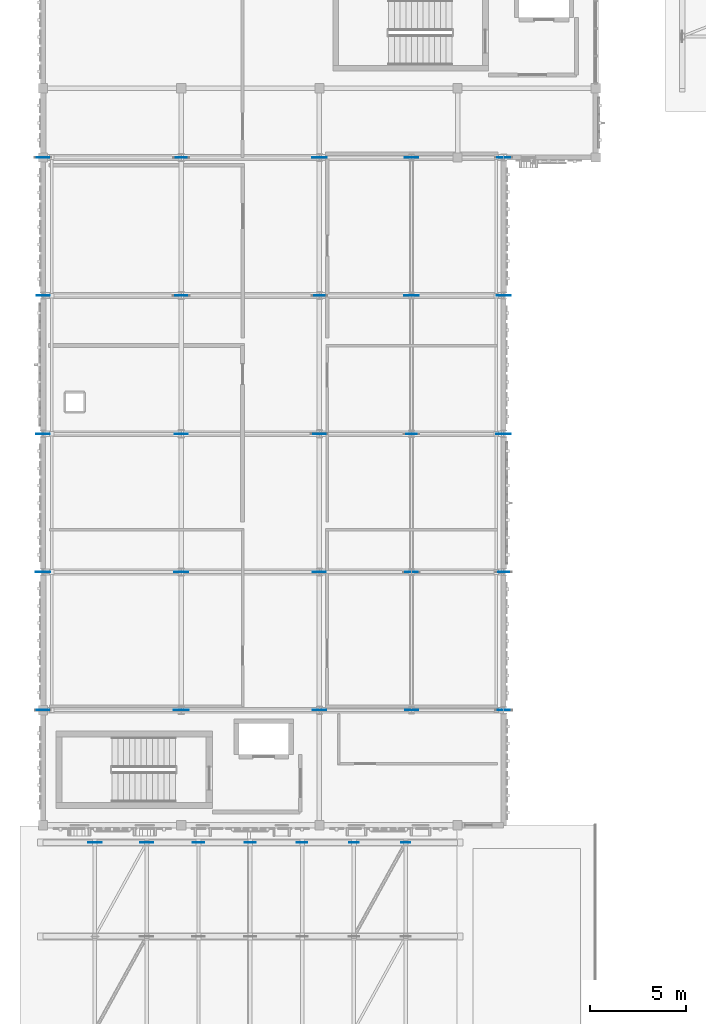
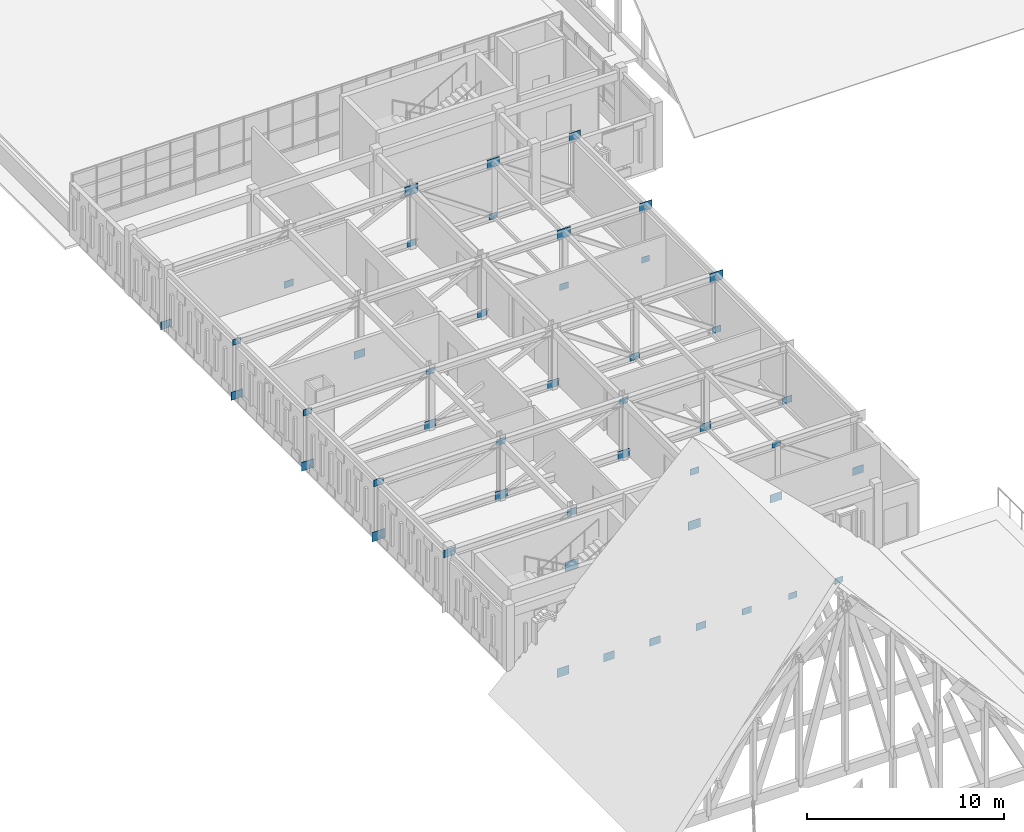
# One storey, part 41 of 79: 46 plates.
"""IFC4 building model written with IfcOpenShell, lengths in metres."""

from ifc_helpers import new_model, si_unit, direction, frame, origin, origin_2d, place, context, subcontext, project, spatial, rectangle, extrude, material, layer, layer_set, type_object, element, save


model = new_model("IFC4")

# Units and contexts
model_context = context("Model", 3, precision=1e-05, world=origin(), true_north=direction((0.0, 1.0)))
body_context = subcontext(model_context, "Body", "Model", "MODEL_VIEW")
ifc_project = project(units=[si_unit("LENGTHUNIT", "METRE"), si_unit("AREAUNIT", "SQUARE_METRE"), si_unit("VOLUMEUNIT", "CUBIC_METRE"), si_unit("PLANEANGLEUNIT", "RADIAN"), si_unit("MASSUNIT", "GRAM", prefix="KILO")], contexts=[model_context])

# Site, building, storey
site_placement = place(None, origin())
site = spatial("IfcSite", under=ifc_project, at=site_placement, CompositionType="ELEMENT")
building_placement = place(site_placement, origin())
building = spatial("IfcBuilding", under=site, at=building_placement, Name="Nzembalo Square Collegiate School", CompositionType="ELEMENT")
storey_placement = place(building_placement, frame((0.0, 0.0, 9.52001953125)))
storey = spatial("IfcBuildingStorey", under=building, at=storey_placement, Name="L02", CompositionType="ELEMENT", Elevation=9.52001953125)

# Plates
ifc_material_1 = material(Name="Steel S355", Category="steel")
ifc_layer_1 = layer(ifc_material_1, 0.030029296875, Name="Steel S355")
ifc_layer_set_1 = layer_set([ifc_layer_1], Name="Steel S355")
plate_type_1 = type_object("IfcPlateType", Name="KN03", PredefinedType="SHEET", material=ifc_layer_set_1)
for number, where, z_axis, x_axis, name in (
    (1, (15.60009765625, 50.39990234375, -0.030029296875), (0.0, 0.0, 1.0), (1.0, 0.0, 0.0), "TT-4A-01 transfer gusset plate KN03"),
    (2, (8.39990234375, 57.60009765625, -0.030029296875), (0.0, 0.0, 1.0), (1.0, 0.0, 0.0), "TT-4A-02 transfer gusset plate KN03"),
    (3, (32.39990234375, 64.800048828125, 3.27001953125), (0.0, 0.0, 1.0), (1.0, 0.0, 0.0), "TT-4A-03 transfer gusset plate KN03"),
    (4, (27.60009765625, 72.0, 3.27001953125), (0.0, 0.0, 1.0), (1.0, 0.0, 0.0), "TT-4A-04 transfer gusset plate KN03"),
    (5, (22.800048828125, 79.199951171875, 3.27001953125), (0.0, 0.0, 1.0), (1.0, 0.0, 0.0), "TT-4A-05 transfer gusset plate KN03"),
):
    element("IfcPlate", number, at=place(storey_placement, frame(where, z_axis=z_axis, x_axis=x_axis)), inside=storey, type_object=plate_type_1, Name=name, PredefinedType="SHEET", context=body_context, shape_type="SweptSolid", body=[
        extrude(rectangle(XDim=0.760009765625, YDim=0.030029296875, at=origin_2d()), origin(), (0.0, 0.0, 1.0), 0.580078125),
    ])
ifc_material_2 = material(Name="Steel S355", Category="steel")
ifc_layer_2 = layer(ifc_material_2, 0.028076171875, Name="Steel S355")
ifc_layer_set_2 = layer_set([ifc_layer_2], Name="Steel S355")
plate_type_2 = type_object("IfcPlateType", Name="KN04", PredefinedType="SHEET", material=ifc_layer_set_2)
for number, where, z_axis, x_axis, name in (
    (6, (22.800048828125, 50.39990234375, -0.010009765625), (0.0, 0.0, 1.0), (1.0, 0.0, 0.0), "TT-4A-01 transfer gusset plate KN04"),
    (7, (15.60009765625, 57.60009765625, -0.010009765625), (0.0, 0.0, 1.0), (1.0, 0.0, 0.0), "TT-4A-02 transfer gusset plate KN04"),
    (8, (8.39990234375, 64.800048828125, -0.010009765625), (0.0, 0.0, 1.0), (1.0, 0.0, 0.0), "TT-4A-03 transfer gusset plate KN04"),
    (9, (32.39990234375, 72.0, 3.2900390625), (0.0, 0.0, 1.0), (1.0, 0.0, 0.0), "TT-4A-04 transfer gusset plate KN04"),
    (10, (27.60009765625, 79.199951171875, 3.2900390625), (0.0, 0.0, 1.0), (1.0, 0.0, 0.0), "TT-4A-05 transfer gusset plate KN04"),
):
    element("IfcPlate", number, at=place(storey_placement, frame(where, z_axis=z_axis, x_axis=x_axis)), inside=storey, type_object=plate_type_2, Name=name, PredefinedType="SHEET", context=body_context, shape_type="SweptSolid", body=[
        extrude(rectangle(XDim=0.719970703125, YDim=0.028076171875, at=origin_2d()), origin(), (0.0, 0.0, 1.0), 0.5400390625),
    ])
ifc_material_3 = material(Name="Steel S355", Category="steel")
ifc_layer_3 = layer(ifc_material_3, 0.02587890625, Name="Steel S355")
ifc_layer_set_3 = layer_set([ifc_layer_3], Name="Steel S355")
plate_type_3 = type_object("IfcPlateType", Name="KN05", PredefinedType="SHEET", material=ifc_layer_set_3)
for number, where, z_axis, x_axis, name in (
    (11, (27.60009765625, 50.39990234375, 0.010009765625), (0.0, 0.0, 1.0), (1.0, 0.0, 0.0), "TT-4A-01 transfer gusset plate KN05"),
    (12, (22.800048828125, 57.60009765625, 0.010009765625), (0.0, 0.0, 1.0), (1.0, 0.0, 0.0), "TT-4A-02 transfer gusset plate KN05"),
    (13, (15.60009765625, 64.800048828125, 0.010009765625), (0.0, 0.0, 1.0), (1.0, 0.0, 0.0), "TT-4A-03 transfer gusset plate KN05"),
    (14, (8.39990234375, 72.0, 0.010009765625), (0.0, 0.0, 1.0), (1.0, 0.0, 0.0), "TT-4A-04 transfer gusset plate KN05"),
    (15, (32.39990234375, 79.199951171875, 3.31005859375), (0.0, 0.0, 1.0), (1.0, 0.0, 0.0), "TT-4A-05 transfer gusset plate KN05"),
):
    element("IfcPlate", number, at=place(storey_placement, frame(where, z_axis=z_axis, x_axis=x_axis)), inside=storey, type_object=plate_type_3, Name=name, PredefinedType="SHEET", context=body_context, shape_type="SweptSolid", body=[
        extrude(rectangle(XDim=0.679931640625, YDim=0.02587890625, at=origin_2d()), origin(), (0.0, 0.0, 1.0), 0.5),
    ])
ifc_material_4 = material(Name="Steel S355", Category="steel")
ifc_layer_4 = layer(ifc_material_4, 0.02392578125, Name="Steel S355")
ifc_layer_set_4 = layer_set([ifc_layer_4], Name="Steel S355")
plate_type_4 = type_object("IfcPlateType", Name="KN06", PredefinedType="SHEET", material=ifc_layer_set_4)
for number, where, z_axis, x_axis, name in (
    (16, (8.39990234375, 50.39990234375, 3.320068359375), (0.0, 0.0, 1.0), (1.0, 0.0, 0.0), "TT-4A-01 transfer gusset plate KN06"),
    (17, (32.39990234375, 50.39990234375, 0.02001953125), (0.0, 0.0, 1.0), (1.0, 0.0, 0.0), "TT-4A-01 transfer gusset plate KN06"),
    (18, (27.60009765625, 57.60009765625, 0.02001953125), (0.0, 0.0, 1.0), (1.0, 0.0, 0.0), "TT-4A-02 transfer gusset plate KN06"),
    (19, (22.800048828125, 64.800048828125, 0.02001953125), (0.0, 0.0, 1.0), (1.0, 0.0, 0.0), "TT-4A-03 transfer gusset plate KN06"),
    (20, (15.60009765625, 72.0, 0.02001953125), (0.0, 0.0, 1.0), (1.0, 0.0, 0.0), "TT-4A-04 transfer gusset plate KN06"),
    (21, (8.39990234375, 79.199951171875, 0.02001953125), (0.0, 0.0, 1.0), (1.0, 0.0, 0.0), "TT-4A-05 transfer gusset plate KN06"),
):
    element("IfcPlate", number, at=place(storey_placement, frame(where, z_axis=z_axis, x_axis=x_axis)), inside=storey, type_object=plate_type_4, Name=name, PredefinedType="SHEET", context=body_context, shape_type="SweptSolid", body=[
        extrude(rectangle(XDim=0.639892578125, YDim=0.02392578125, at=origin_2d()), origin(), (0.0, 0.0, 1.0), 0.47998046875),
    ])
ifc_material_5 = material(Name="Steel S355", Category="steel")
ifc_layer_5 = layer(ifc_material_5, 0.02197265625, Name="Steel S355")
ifc_layer_set_5 = layer_set([ifc_layer_5], Name="Steel S355")
plate_type_5 = type_object("IfcPlateType", Name="KN07", PredefinedType="SHEET", material=ifc_layer_set_5)
for number, where, z_axis, x_axis, name in (
    (22, (15.60009765625, 50.39990234375, 3.35009765625), (0.0, 0.0, 1.0), (1.0, 0.0, 0.0), "TT-4A-01 transfer gusset plate KN07"),
    (23, (8.39990234375, 57.60009765625, 3.35009765625), (0.0, 0.0, 1.0), (1.0, 0.0, 0.0), "TT-4A-02 transfer gusset plate KN07"),
    (24, (32.39990234375, 57.60009765625, 0.050048828125), (0.0, 0.0, 1.0), (1.0, 0.0, 0.0), "TT-4A-02 transfer gusset plate KN07"),
    (25, (27.60009765625, 64.800048828125, 0.050048828125), (0.0, 0.0, 1.0), (1.0, 0.0, 0.0), "TT-4A-03 transfer gusset plate KN07"),
    (26, (22.800048828125, 72.0, 0.050048828125), (0.0, 0.0, 1.0), (1.0, 0.0, 0.0), "TT-4A-04 transfer gusset plate KN07"),
    (27, (15.60009765625, 79.199951171875, 0.050048828125), (0.0, 0.0, 1.0), (1.0, 0.0, 0.0), "TT-4A-05 transfer gusset plate KN07"),
):
    element("IfcPlate", number, at=place(storey_placement, frame(where, z_axis=z_axis, x_axis=x_axis)), inside=storey, type_object=plate_type_5, Name=name, PredefinedType="SHEET", context=body_context, shape_type="SweptSolid", body=[
        extrude(rectangle(XDim=0.56005859375, YDim=0.02197265625, at=origin_2d()), origin(), (0.0, 0.0, 1.0), 0.419921875),
    ])
ifc_material_6 = material(Name="Steel S355", Category="steel")
ifc_layer_6 = layer(ifc_material_6, 0.02001953125, Name="Steel S355")
ifc_layer_set_6 = layer_set([ifc_layer_6], Name="Steel S355")
plate_type_6 = type_object("IfcPlateType", Name="KN08", PredefinedType="SHEET", material=ifc_layer_set_6)
for number, where, z_axis, x_axis, name in (
    (28, (22.800048828125, 50.39990234375, 3.365234375), (0.0, 0.0, 1.0), (1.0, 0.0, 0.0), "TT-4A-01 transfer gusset plate KN08"),
    (29, (15.60009765625, 57.60009765625, 3.365234375), (0.0, 0.0, 1.0), (1.0, 0.0, 0.0), "TT-4A-02 transfer gusset plate KN08"),
    (30, (8.39990234375, 64.800048828125, 3.365234375), (0.0, 0.0, 1.0), (1.0, 0.0, 0.0), "TT-4A-03 transfer gusset plate KN08"),
    (31, (32.39990234375, 64.800048828125, 0.06494140625), (0.0, 0.0, 1.0), (1.0, 0.0, 0.0), "TT-4A-03 transfer gusset plate KN08"),
    (32, (27.60009765625, 72.0, 0.06494140625), (0.0, 0.0, 1.0), (1.0, 0.0, 0.0), "TT-4A-04 transfer gusset plate KN08"),
    (33, (22.800048828125, 79.199951171875, 0.06494140625), (0.0, 0.0, 1.0), (1.0, 0.0, 0.0), "TT-4A-05 transfer gusset plate KN08"),
):
    element("IfcPlate", number, at=place(storey_placement, frame(where, z_axis=z_axis, x_axis=x_axis)), inside=storey, type_object=plate_type_6, Name=name, PredefinedType="SHEET", context=body_context, shape_type="SweptSolid", body=[
        extrude(rectangle(XDim=0.52001953125, YDim=0.02001953125, at=origin_2d()), origin(), (0.0, 0.0, 1.0), 0.389892578125),
    ])
ifc_material_7 = material(Name="Steel S355", Category="steel")
ifc_layer_7 = layer(ifc_material_7, 0.01806640625, Name="Steel S355")
ifc_layer_set_7 = layer_set([ifc_layer_7], Name="Steel S355")
plate_type_7 = type_object("IfcPlateType", Name="KN09", PredefinedType="SHEET", material=ifc_layer_set_7)
for number, where, z_axis, x_axis, name in (
    (34, (27.60009765625, 50.39990234375, 3.3798828125), (0.0, 0.0, 1.0), (1.0, 0.0, 0.0), "TT-4A-01 transfer gusset plate KN09"),
    (35, (22.800048828125, 57.60009765625, 3.3798828125), (0.0, 0.0, 1.0), (1.0, 0.0, 0.0), "TT-4A-02 transfer gusset plate KN09"),
    (36, (15.60009765625, 64.800048828125, 3.3798828125), (0.0, 0.0, 1.0), (1.0, 0.0, 0.0), "TT-4A-03 transfer gusset plate KN09"),
    (37, (8.39990234375, 72.0, 3.3798828125), (0.0, 0.0, 1.0), (1.0, 0.0, 0.0), "TT-4A-04 transfer gusset plate KN09"),
    (38, (32.39990234375, 72.0, 0.080078125), (0.0, 0.0, 1.0), (1.0, 0.0, 0.0), "TT-4A-04 transfer gusset plate KN09"),
    (39, (27.60009765625, 79.199951171875, 0.080078125), (0.0, 0.0, 1.0), (1.0, 0.0, 0.0), "TT-4A-05 transfer gusset plate KN09"),
):
    element("IfcPlate", number, at=place(storey_placement, frame(where, z_axis=z_axis, x_axis=x_axis)), inside=storey, type_object=plate_type_7, Name=name, PredefinedType="SHEET", context=body_context, shape_type="SweptSolid", body=[
        extrude(rectangle(XDim=0.47998046875, YDim=0.01806640625, at=origin_2d()), origin(), (0.0, 0.0, 1.0), 0.360107421875),
    ])
ifc_material_8 = material(Name="Steel S355", Category="steel")
ifc_layer_8 = layer(ifc_material_8, 0.02392578125, Name="Steel S355")
ifc_layer_set_8 = layer_set([ifc_layer_8], Name="Steel S355")
plate_type_8 = type_object("IfcPlateType", Name="TN01", PredefinedType="SHEET", material=ifc_layer_set_8)
plate_1_placement = place(storey_placement, frame((11.10009765625, 43.5, -0.8701171875), z_axis=(0.0, 0.0, 1.0), x_axis=(1.0, 0.0, 0.0)))
element("IfcPlate", 40, at=plate_1_placement, inside=storey, type_object=plate_type_8, Name="GT-SH1-08 gusset plate TN01", PredefinedType="SHEET", context=body_context, shape_type="SweptSolid", body=[
    extrude(rectangle(XDim=0.699951171875, YDim=0.02392578125, at=origin_2d()), origin(), (0.0, 0.0, 1.0), 0.5400390625),
])
ifc_material_9 = material(Name="Steel S355", Category="steel")
ifc_layer_9 = layer(ifc_material_9, 0.02197265625, Name="Steel S355")
ifc_layer_set_9 = layer_set([ifc_layer_9], Name="Steel S355")
plate_type_9 = type_object("IfcPlateType", Name="TN02", PredefinedType="SHEET", material=ifc_layer_set_9)
plate_2_placement = place(storey_placement, frame((13.800048828125, 43.5, -0.85009765625), z_axis=(0.0, 0.0, 1.0), x_axis=(1.0, 0.0, 0.0)))
element("IfcPlate", 41, at=plate_2_placement, inside=storey, type_object=plate_type_9, Name="GT-SH1-08 gusset plate TN02", PredefinedType="SHEET", context=body_context, shape_type="SweptSolid", body=[
    extrude(rectangle(XDim=0.659912109375, YDim=0.02197265625, at=origin_2d()), origin(), (0.0, 0.0, 1.0), 0.5),
])
ifc_material_10 = material(Name="Steel S355", Category="steel")
ifc_layer_10 = layer(ifc_material_10, 0.02001953125, Name="Steel S355")
ifc_layer_set_10 = layer_set([ifc_layer_10], Name="Steel S355")
plate_type_10 = type_object("IfcPlateType", Name="TN03", PredefinedType="SHEET", material=ifc_layer_set_10)
plate_3_placement = place(storey_placement, frame((16.5, 43.5, -0.830078125), z_axis=(0.0, 0.0, 1.0), x_axis=(1.0, 0.0, 0.0)))
element("IfcPlate", 42, at=plate_3_placement, inside=storey, type_object=plate_type_10, Name="GT-SH1-08 gusset plate TN03", PredefinedType="SHEET", context=body_context, shape_type="SweptSolid", body=[
    extrude(rectangle(XDim=0.6201171875, YDim=0.02001953125, at=origin_2d()), origin(), (0.0, 0.0, 1.0), 0.4599609375),
])
ifc_material_11 = material(Name="Steel S355", Category="steel")
ifc_layer_11 = layer(ifc_material_11, 0.02001953125, Name="Steel S355")
ifc_layer_set_11 = layer_set([ifc_layer_11], Name="Steel S355")
plate_type_11 = type_object("IfcPlateType", Name="TN04", PredefinedType="SHEET", material=ifc_layer_set_11)
plate_4_placement = place(storey_placement, frame((19.199951171875, 43.5, -0.820068359375), z_axis=(0.0, 0.0, 1.0), x_axis=(1.0, 0.0, 0.0)))
element("IfcPlate", 43, at=plate_4_placement, inside=storey, type_object=plate_type_11, Name="GT-SH1-08 gusset plate TN04", PredefinedType="SHEET", context=body_context, shape_type="SweptSolid", body=[
    extrude(rectangle(XDim=0.580078125, YDim=0.02001953125, at=origin_2d()), origin(), (0.0, 0.0, 1.0), 0.43994140625),
])
ifc_material_12 = material(Name="Steel S355", Category="steel")
ifc_layer_12 = layer(ifc_material_12, 0.01806640625, Name="Steel S355")
ifc_layer_set_12 = layer_set([ifc_layer_12], Name="Steel S355")
plate_type_12 = type_object("IfcPlateType", Name="TN05", PredefinedType="SHEET", material=ifc_layer_set_12)
plate_5_placement = place(storey_placement, frame((21.89990234375, 43.5, -0.800048828125), z_axis=(0.0, 0.0, 1.0), x_axis=(1.0, 0.0, 0.0)))
element("IfcPlate", 44, at=plate_5_placement, inside=storey, type_object=plate_type_12, Name="GT-SH1-08 gusset plate TN05", PredefinedType="SHEET", context=body_context, shape_type="SweptSolid", body=[
    extrude(rectangle(XDim=0.5400390625, YDim=0.01806640625, at=origin_2d()), origin(), (0.0, 0.0, 1.0), 0.39990234375),
])
ifc_material_13 = material(Name="Steel S355", Category="steel")
ifc_layer_13 = layer(ifc_material_13, 0.01611328125, Name="Steel S355")
ifc_layer_set_13 = layer_set([ifc_layer_13], Name="Steel S355")
plate_type_13 = type_object("IfcPlateType", Name="TN06", PredefinedType="SHEET", material=ifc_layer_set_13)
plate_6_placement = place(storey_placement, frame((24.60009765625, 43.5, -0.7900390625), z_axis=(0.0, 0.0, 1.0), x_axis=(1.0, 0.0, 0.0)))
element("IfcPlate", 45, at=plate_6_placement, inside=storey, type_object=plate_type_13, Name="GT-SH1-08 gusset plate TN06", PredefinedType="SHEET", context=body_context, shape_type="SweptSolid", body=[
    extrude(rectangle(XDim=0.5, YDim=0.01611328125, at=origin_2d()), origin(), (0.0, 0.0, 1.0), 0.3798828125),
])
ifc_material_14 = material(Name="Steel S355", Category="steel")
ifc_layer_14 = layer(ifc_material_14, 0.01611328125, Name="Steel S355")
ifc_layer_set_14 = layer_set([ifc_layer_14], Name="Steel S355")
plate_type_14 = type_object("IfcPlateType", Name="TN07", PredefinedType="SHEET", material=ifc_layer_set_14)
plate_7_placement = place(storey_placement, frame((27.300048828125, 43.5, -0.775146484375), z_axis=(0.0, 0.0, 1.0), x_axis=(1.0, 0.0, 0.0)))
element("IfcPlate", 46, at=plate_7_placement, inside=storey, type_object=plate_type_14, Name="GT-SH1-08 gusset plate TN07", PredefinedType="SHEET", context=body_context, shape_type="SweptSolid", body=[
    extrude(rectangle(XDim=0.4599609375, YDim=0.01611328125, at=origin_2d()), origin(), (0.0, 0.0, 1.0), 0.35009765625),
])

save(model, "model.ifc")
